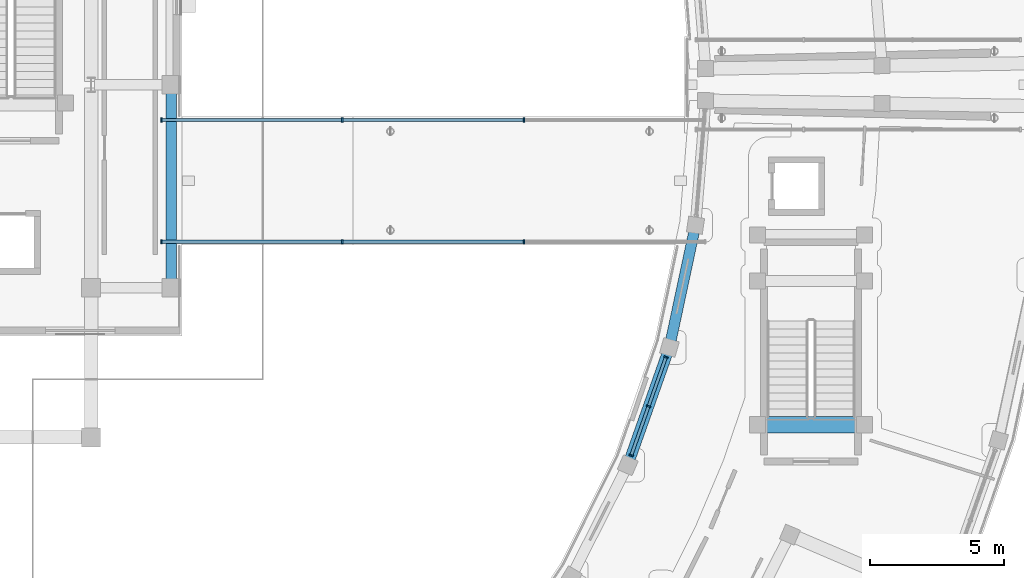
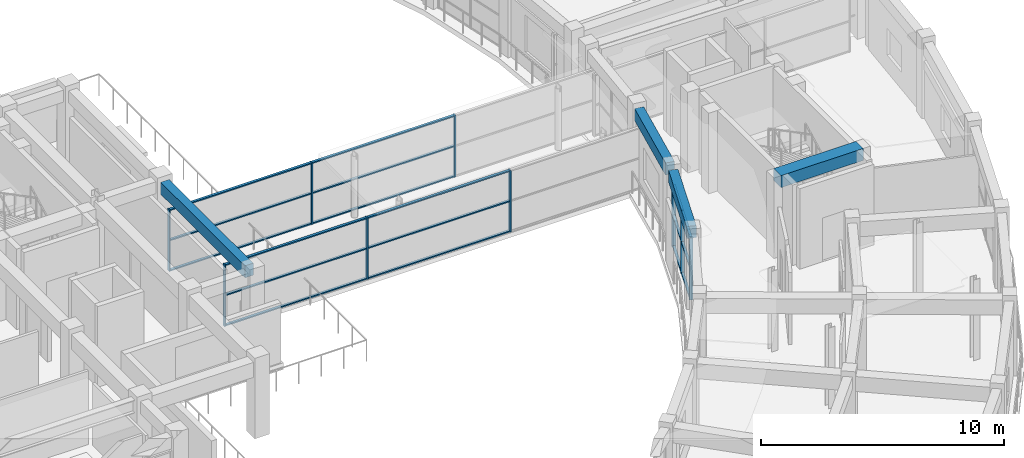
# One storey, part 18 of 53: 27 members, 4 beams, 3 elements without a shape of their own.
"""IFC4 building model written with IfcOpenShell, lengths in metres."""

from ifc_helpers import new_model, si_unit, direction, frame, origin, origin_2d, place, context, subcontext, project, spatial, rectangle, extrude, material, material_profile, profile_set, type_object, element, aggregate, save


model = new_model("IFC4")

# Units and contexts
model_context = context("Model", 3, precision=1e-05, world=origin(), true_north=direction((0.0, 1.0)))
body_context = subcontext(model_context, "Body", "Model", "MODEL_VIEW")
ifc_project = project(units=[si_unit("LENGTHUNIT", "METRE"), si_unit("AREAUNIT", "SQUARE_METRE"), si_unit("VOLUMEUNIT", "CUBIC_METRE"), si_unit("PLANEANGLEUNIT", "RADIAN"), si_unit("MASSUNIT", "GRAM", prefix="KILO")], contexts=[model_context])

# Site, building, storey
site_placement = place(None, origin())
site = spatial("IfcSite", under=ifc_project, at=site_placement, CompositionType="ELEMENT")
building_placement = place(site_placement, origin())
building = spatial("IfcBuilding", under=site, at=building_placement, Name="Saryqyr Civic Hall", CompositionType="ELEMENT")
storey_placement = place(building_placement, frame((0.0, 0.0, 21.300048828125)))
storey = spatial("IfcBuildingStorey", under=building, at=storey_placement, Name="L05", CompositionType="ELEMENT", Elevation=21.300048828125)

# Curtain wall, members
ifc_material_1 = material(Name="Anodised aluminium and triple low-E glass", Category="aluminium")
curtain_wall_type_1 = type_object("IfcCurtainWallType", Name="ENV-CW-STD-21", PredefinedType="NOTDEFINED", material=ifc_material_1)
curtain_wall_1_placement = place(storey_placement, origin())
curtain_wall_1 = element("IfcCurtainWall", 1, at=curtain_wall_1_placement, inside=storey, type_object=curtain_wall_type_1, Name="Curtain wall V5-CWI-L05-07", PredefinedType="NOTDEFINED")
ifc_material_2 = material(Name="Anodised aluminium", Category="aluminium")
ifc_material_profile_1 = material_profile(ifc_material_2, rectangle(XDim=0.06005859375, YDim=0.159912109375, at=origin_2d()), Name="ALU MULLION 60x160")
ifc_profile_set_1 = profile_set([ifc_material_profile_1], Name="Anodised aluminium")
member_type_1 = type_object("IfcMemberType", Name="ENV-CW-MUL-180", PredefinedType="MULLION", material=ifc_profile_set_1)
member_1_placement = place(storey_placement, frame((90.41162109375, 70.1279296875, 0.0), z_axis=(0.0, 0.0, 1.0), x_axis=(0.333171977335, 0.94286607401, 0.0)))
member_1 = element("IfcMember", 2, at=member_1_placement, type_object=member_type_1, Name="CW-21 mullion 1", PredefinedType="MULLION", context=body_context, shape_type="SweptSolid", body=[
    extrude(rectangle(XDim=0.06005859375, YDim=0.159912109375, at=origin_2d()), origin(), (0.0, 0.0, 1.0), 3.155029296875),
])
member_2_placement = place(storey_placement, frame((91.060302734375, 71.963623046875, 0.0), z_axis=(0.0, 0.0, 1.0), x_axis=(0.333171977335, 0.94286607401, 0.0)))
member_2 = element("IfcMember", 3, at=member_2_placement, type_object=member_type_1, Name="CW-21 mullion 2", PredefinedType="MULLION", context=body_context, shape_type="SweptSolid", body=[
    extrude(rectangle(XDim=0.06005859375, YDim=0.159912109375, at=origin_2d()), origin(), (0.0, 0.0, 1.0), 3.155029296875),
])
member_3_placement = place(storey_placement, frame((91.708984375, 73.799560546875, 0.0), z_axis=(0.0, 0.0, 1.0), x_axis=(0.333171977335, 0.94286607401, 0.0)))
member_3 = element("IfcMember", 4, at=member_3_placement, type_object=member_type_1, Name="CW-21 mullion 3", PredefinedType="MULLION", context=body_context, shape_type="SweptSolid", body=[
    extrude(rectangle(XDim=0.06005859375, YDim=0.159912109375, at=origin_2d()), origin(), (0.0, 0.0, 1.0), 3.155029296875),
])

curtain_wall_type_2 = type_object("IfcCurtainWallType", Name="ENV-CW-STD-87", PredefinedType="NOTDEFINED", material=ifc_material_1)
curtain_wall_2_placement = place(storey_placement, origin())
curtain_wall_2 = element("IfcCurtainWall", 5, at=curtain_wall_2_placement, inside=storey, type_object=curtain_wall_type_2, Name="Curtain wall BR-CE-CW1-L05", PredefinedType="NOTDEFINED")
member_4_placement = place(storey_placement, frame((86.39990234375, 78.1201171875, 0.0), z_axis=(0.0, 0.0, 1.0), x_axis=(-1.0, 0.0, 0.0)))
member_4 = element("IfcMember", 6, at=member_4_placement, type_object=member_type_1, Name="CW-87 mullion 2", PredefinedType="MULLION", context=body_context, shape_type="SweptSolid", body=[
    extrude(rectangle(XDim=0.06005859375, YDim=0.159912109375, at=origin_2d()), origin(), (0.0, 0.0, 1.0), 3.099853515625),
])
member_5_placement = place(storey_placement, frame((79.60009765625, 78.1201171875, 0.0), z_axis=(0.0, 0.0, 1.0), x_axis=(-1.0, 0.0, 0.0)))
member_5 = element("IfcMember", 7, at=member_5_placement, type_object=member_type_1, Name="CW-87 mullion 3", PredefinedType="MULLION", context=body_context, shape_type="SweptSolid", body=[
    extrude(rectangle(XDim=0.06005859375, YDim=0.159912109375, at=origin_2d()), origin(), (0.0, 0.0, 1.0), 3.099853515625),
])
member_6_placement = place(storey_placement, frame((72.830078125, 78.1201171875, 0.0), z_axis=(0.0, 0.0, 1.0), x_axis=(-1.0, 0.0, 0.0)))
member_6 = element("IfcMember", 8, at=member_6_placement, type_object=member_type_1, Name="CW-87 mullion 4", PredefinedType="MULLION", context=body_context, shape_type="SweptSolid", body=[
    extrude(rectangle(XDim=0.06005859375, YDim=0.159912109375, at=origin_2d()), origin(), (0.0, 0.0, 1.0), 3.099853515625),
])

curtain_wall_3_placement = place(storey_placement, origin())
curtain_wall_3 = element("IfcCurtainWall", 9, at=curtain_wall_3_placement, inside=storey, type_object=curtain_wall_type_2, Name="Curtain wall BR-CE-CW2-L05", PredefinedType="NOTDEFINED")
member_7_placement = place(storey_placement, frame((72.830078125, 82.679931640625, 0.0), z_axis=(0.0, 0.0, 1.0), x_axis=(1.0, 0.0, 0.0)))
member_7 = element("IfcMember", 10, at=member_7_placement, type_object=member_type_1, Name="CW-87 mullion 1", PredefinedType="MULLION", context=body_context, shape_type="SweptSolid", body=[
    extrude(rectangle(XDim=0.06005859375, YDim=0.159912109375, at=origin_2d()), origin(), (0.0, 0.0, 1.0), 3.099853515625),
])
member_8_placement = place(storey_placement, frame((79.60009765625, 82.679931640625, 0.0), z_axis=(0.0, 0.0, 1.0), x_axis=(1.0, 0.0, 0.0)))
member_8 = element("IfcMember", 11, at=member_8_placement, type_object=member_type_1, Name="CW-87 mullion 2", PredefinedType="MULLION", context=body_context, shape_type="SweptSolid", body=[
    extrude(rectangle(XDim=0.06005859375, YDim=0.159912109375, at=origin_2d()), origin(), (0.0, 0.0, 1.0), 3.099853515625),
])
member_9_placement = place(storey_placement, frame((86.39990234375, 82.679931640625, 0.0), z_axis=(0.0, 0.0, 1.0), x_axis=(1.0, 0.0, 0.0)))
member_9 = element("IfcMember", 12, at=member_9_placement, type_object=member_type_1, Name="CW-87 mullion 3", PredefinedType="MULLION", context=body_context, shape_type="SweptSolid", body=[
    extrude(rectangle(XDim=0.06005859375, YDim=0.159912109375, at=origin_2d()), origin(), (0.0, 0.0, 1.0), 3.099853515625),
])

# Member
ifc_material_profile_2 = material_profile(ifc_material_2, rectangle(XDim=0.1201171875, YDim=0.06005859375, at=origin_2d()), Name="ALU TRANSOM 120x60")
ifc_profile_set_2 = profile_set([ifc_material_profile_2], Name="Anodised aluminium")
member_type_2 = type_object("IfcMemberType", Name="ENV-CW-TRN-150", PredefinedType="USERDEFINED", material=ifc_profile_set_2)
member_10_placement = place(storey_placement, frame((90.421630859375, 70.15625, 0.030029296875), z_axis=(0.333178802066, 0.942863662389, 0.0), x_axis=(-0.942863662389, 0.333178802066, 0.0)))
member_10 = element("IfcMember", 13, at=member_10_placement, type_object=member_type_2, Name="CW-21 transom 1.1", ObjectType="TRANSOM", PredefinedType="USERDEFINED", context=body_context, shape_type="SweptSolid", body=[
    extrude(rectangle(XDim=0.1201171875, YDim=0.06005859375, at=origin_2d()), origin(), (0.0, 0.0, 1.0), 1.886962890625),
])

member_11_placement = place(storey_placement, frame((90.421630859375, 70.15625, 1.577880859375), z_axis=(0.333178802066, 0.942863662389, 0.0), x_axis=(-0.942863662389, 0.333178802066, 0.0)))
member_11 = element("IfcMember", 14, at=member_11_placement, type_object=member_type_2, Name="CW-21 transom 1.2", ObjectType="TRANSOM", PredefinedType="USERDEFINED", context=body_context, shape_type="SweptSolid", body=[
    extrude(rectangle(XDim=0.1201171875, YDim=0.06005859375, at=origin_2d()), origin(), (0.0, 0.0, 1.0), 1.886962890625),
])

member_12_placement = place(storey_placement, frame((90.421630859375, 70.15625, 3.125), z_axis=(0.333178802066, 0.942863662389, 0.0), x_axis=(-0.942863662389, 0.333178802066, 0.0)))
member_12 = element("IfcMember", 15, at=member_12_placement, type_object=member_type_2, Name="CW-21 transom 1.3", ObjectType="TRANSOM", PredefinedType="USERDEFINED", context=body_context, shape_type="SweptSolid", body=[
    extrude(rectangle(XDim=0.1201171875, YDim=0.06005859375, at=origin_2d()), origin(), (0.0, 0.0, 1.0), 1.886962890625),
])

member_13_placement = place(storey_placement, frame((91.0703125, 71.991943359375, 0.030029296875), z_axis=(0.333138159912, 0.942878023082, 0.0), x_axis=(-0.942878023082, 0.333138159912, 0.0)))
member_13 = element("IfcMember", 16, at=member_13_placement, type_object=member_type_2, Name="CW-21 transom 2.1", ObjectType="TRANSOM", PredefinedType="USERDEFINED", context=body_context, shape_type="SweptSolid", body=[
    extrude(rectangle(XDim=0.1201171875, YDim=0.06005859375, at=origin_2d()), origin(), (0.0, 0.0, 1.0), 1.88720703125),
])

member_14_placement = place(storey_placement, frame((91.0703125, 71.991943359375, 1.577880859375), z_axis=(0.333138159912, 0.942878023082, 0.0), x_axis=(-0.942878023082, 0.333138159912, 0.0)))
member_14 = element("IfcMember", 17, at=member_14_placement, type_object=member_type_2, Name="CW-21 transom 2.2", ObjectType="TRANSOM", PredefinedType="USERDEFINED", context=body_context, shape_type="SweptSolid", body=[
    extrude(rectangle(XDim=0.1201171875, YDim=0.06005859375, at=origin_2d()), origin(), (0.0, 0.0, 1.0), 1.88720703125),
])

member_15_placement = place(storey_placement, frame((91.0703125, 71.991943359375, 3.125), z_axis=(0.333138159912, 0.942878023082, 0.0), x_axis=(-0.942878023082, 0.333138159912, 0.0)))
member_15 = element("IfcMember", 18, at=member_15_placement, type_object=member_type_2, Name="CW-21 transom 2.3", ObjectType="TRANSOM", PredefinedType="USERDEFINED", context=body_context, shape_type="SweptSolid", body=[
    extrude(rectangle(XDim=0.1201171875, YDim=0.06005859375, at=origin_2d()), origin(), (0.0, 0.0, 1.0), 1.88720703125),
])

aggregate(curtain_wall_1, [member_1, member_2, member_3, member_10, member_11, member_12, member_13, member_14, member_15])

member_16_placement = place(storey_placement, frame((86.3701171875, 78.1201171875, 0.030029296875), z_axis=(-1.0, 0.0, 0.0), x_axis=(0.0, -1.0, 0.0)))
member_16 = element("IfcMember", 19, at=member_16_placement, type_object=member_type_2, Name="CW-87 transom 2.1", ObjectType="TRANSOM", PredefinedType="USERDEFINED", context=body_context, shape_type="SweptSolid", body=[
    extrude(rectangle(XDim=0.1201171875, YDim=0.06005859375, at=origin_2d()), origin(), (0.0, 0.0, 1.0), 6.740234375),
])

member_17_placement = place(storey_placement, frame((86.3701171875, 78.1201171875, 1.550048828125), z_axis=(-1.0, 0.0, 0.0), x_axis=(0.0, -1.0, 0.0)))
member_17 = element("IfcMember", 20, at=member_17_placement, type_object=member_type_2, Name="CW-87 transom 2.2", ObjectType="TRANSOM", PredefinedType="USERDEFINED", context=body_context, shape_type="SweptSolid", body=[
    extrude(rectangle(XDim=0.1201171875, YDim=0.06005859375, at=origin_2d()), origin(), (0.0, 0.0, 1.0), 6.740234375),
])

member_18_placement = place(storey_placement, frame((86.3701171875, 78.1201171875, 3.070068359375), z_axis=(-1.0, 0.0, 0.0), x_axis=(0.0, -1.0, 0.0)))
member_18 = element("IfcMember", 21, at=member_18_placement, type_object=member_type_2, Name="CW-87 transom 2.3", ObjectType="TRANSOM", PredefinedType="USERDEFINED", context=body_context, shape_type="SweptSolid", body=[
    extrude(rectangle(XDim=0.1201171875, YDim=0.06005859375, at=origin_2d()), origin(), (0.0, 0.0, 1.0), 6.740234375),
])

member_19_placement = place(storey_placement, frame((79.570068359375, 78.1201171875, 0.030029296875), z_axis=(-1.0, 0.0, 0.0), x_axis=(0.0, -1.0, 0.0)))
member_19 = element("IfcMember", 22, at=member_19_placement, type_object=member_type_2, Name="CW-87 transom 3.1", ObjectType="TRANSOM", PredefinedType="USERDEFINED", context=body_context, shape_type="SweptSolid", body=[
    extrude(rectangle(XDim=0.1201171875, YDim=0.06005859375, at=origin_2d()), origin(), (0.0, 0.0, 1.0), 6.7099609375),
])

member_20_placement = place(storey_placement, frame((79.570068359375, 78.1201171875, 1.550048828125), z_axis=(-1.0, 0.0, 0.0), x_axis=(0.0, -1.0, 0.0)))
member_20 = element("IfcMember", 23, at=member_20_placement, type_object=member_type_2, Name="CW-87 transom 3.2", ObjectType="TRANSOM", PredefinedType="USERDEFINED", context=body_context, shape_type="SweptSolid", body=[
    extrude(rectangle(XDim=0.1201171875, YDim=0.06005859375, at=origin_2d()), origin(), (0.0, 0.0, 1.0), 6.7099609375),
])

member_21_placement = place(storey_placement, frame((79.570068359375, 78.1201171875, 3.070068359375), z_axis=(-1.0, 0.0, 0.0), x_axis=(0.0, -1.0, 0.0)))
member_21 = element("IfcMember", 24, at=member_21_placement, type_object=member_type_2, Name="CW-87 transom 3.3", ObjectType="TRANSOM", PredefinedType="USERDEFINED", context=body_context, shape_type="SweptSolid", body=[
    extrude(rectangle(XDim=0.1201171875, YDim=0.06005859375, at=origin_2d()), origin(), (0.0, 0.0, 1.0), 6.7099609375),
])

aggregate(curtain_wall_2, [member_4, member_5, member_6, member_16, member_17, member_18, member_19, member_20, member_21])

member_22_placement = place(storey_placement, frame((72.860107421875, 82.679931640625, 0.030029296875), z_axis=(1.0, 0.0, 0.0), x_axis=(0.0, 1.0, 0.0)))
member_22 = element("IfcMember", 25, at=member_22_placement, type_object=member_type_2, Name="CW-87 transom 1.1", ObjectType="TRANSOM", PredefinedType="USERDEFINED", context=body_context, shape_type="SweptSolid", body=[
    extrude(rectangle(XDim=0.1201171875, YDim=0.06005859375, at=origin_2d()), origin(), (0.0, 0.0, 1.0), 6.7099609375),
])

member_23_placement = place(storey_placement, frame((72.860107421875, 82.679931640625, 1.550048828125), z_axis=(1.0, 0.0, 0.0), x_axis=(0.0, 1.0, 0.0)))
member_23 = element("IfcMember", 26, at=member_23_placement, type_object=member_type_2, Name="CW-87 transom 1.2", ObjectType="TRANSOM", PredefinedType="USERDEFINED", context=body_context, shape_type="SweptSolid", body=[
    extrude(rectangle(XDim=0.1201171875, YDim=0.06005859375, at=origin_2d()), origin(), (0.0, 0.0, 1.0), 6.7099609375),
])

member_24_placement = place(storey_placement, frame((72.860107421875, 82.679931640625, 3.070068359375), z_axis=(1.0, 0.0, 0.0), x_axis=(0.0, 1.0, 0.0)))
member_24 = element("IfcMember", 27, at=member_24_placement, type_object=member_type_2, Name="CW-87 transom 1.3", ObjectType="TRANSOM", PredefinedType="USERDEFINED", context=body_context, shape_type="SweptSolid", body=[
    extrude(rectangle(XDim=0.1201171875, YDim=0.06005859375, at=origin_2d()), origin(), (0.0, 0.0, 1.0), 6.7099609375),
])

member_25_placement = place(storey_placement, frame((79.6298828125, 82.679931640625, 0.030029296875), z_axis=(1.0, 0.0, 0.0), x_axis=(0.0, 1.0, 0.0)))
member_25 = element("IfcMember", 28, at=member_25_placement, type_object=member_type_2, Name="CW-87 transom 2.1", ObjectType="TRANSOM", PredefinedType="USERDEFINED", context=body_context, shape_type="SweptSolid", body=[
    extrude(rectangle(XDim=0.1201171875, YDim=0.06005859375, at=origin_2d()), origin(), (0.0, 0.0, 1.0), 6.740234375),
])

member_26_placement = place(storey_placement, frame((79.6298828125, 82.679931640625, 1.550048828125), z_axis=(1.0, 0.0, 0.0), x_axis=(0.0, 1.0, 0.0)))
member_26 = element("IfcMember", 29, at=member_26_placement, type_object=member_type_2, Name="CW-87 transom 2.2", ObjectType="TRANSOM", PredefinedType="USERDEFINED", context=body_context, shape_type="SweptSolid", body=[
    extrude(rectangle(XDim=0.1201171875, YDim=0.06005859375, at=origin_2d()), origin(), (0.0, 0.0, 1.0), 6.740234375),
])

member_27_placement = place(storey_placement, frame((79.6298828125, 82.679931640625, 3.070068359375), z_axis=(1.0, 0.0, 0.0), x_axis=(0.0, 1.0, 0.0)))
member_27 = element("IfcMember", 30, at=member_27_placement, type_object=member_type_2, Name="CW-87 transom 2.3", ObjectType="TRANSOM", PredefinedType="USERDEFINED", context=body_context, shape_type="SweptSolid", body=[
    extrude(rectangle(XDim=0.1201171875, YDim=0.06005859375, at=origin_2d()), origin(), (0.0, 0.0, 1.0), 6.740234375),
])

aggregate(curtain_wall_3, [member_7, member_8, member_9, member_22, member_23, member_24, member_25, member_26, member_27])

# Beams
ifc_material_3 = material(Name="Concrete C35/45", Category="concrete")
ifc_material_profile_3 = material_profile(ifc_material_3, rectangle(XDim=0.39990234375, YDim=0.60009765625, at=origin_2d()), Name="RC 400x600")
ifc_profile_set_3 = profile_set([ifc_material_profile_3], Name="Concrete C35/45")
beam_type_1 = type_object("IfcBeamType", Name="STR-BM-RC400x600", PredefinedType="BEAM", material=ifc_profile_set_3)
beam_1_placement = place(storey_placement, frame((73.199951171875, 76.72509765625, 3.489990234375), z_axis=(0.0, 1.0, 0.0), x_axis=(-1.0, 0.0, 0.0)))
element("IfcBeam", 31, at=beam_1_placement, inside=storey, type_object=beam_type_1, Name="Beam V1-TBM-13-L05", PredefinedType="BEAM", context=body_context, shape_type="SweptSolid", body=[
    extrude(rectangle(XDim=0.39990234375, YDim=0.60009765625, at=origin_2d()), origin(), (0.0, 0.0, 1.0), 6.949951171875),
])
ifc_material_profile_4 = material_profile(ifc_material_3, rectangle(XDim=0.39990234375, YDim=0.60009765625, at=origin_2d()), Name="RC 400x600")
ifc_profile_set_4 = profile_set([ifc_material_profile_4], Name="Concrete C35/45")
beam_type_2 = type_object("IfcBeamType", Name="STR-BM-RC400x600-EXT", PredefinedType="BEAM", material=ifc_profile_set_4)
beam_2_placement = place(storey_placement, frame((90.373046875, 70.018798828125, 3.47998046875), z_axis=(0.333185372097, 0.942861340718, 0.0), x_axis=(-0.942861340718, 0.333185372097, 0.0)))
element("IfcBeam", 32, at=beam_2_placement, inside=storey, type_object=beam_type_2, Name="Beam V5-CBM-IN07-L05", PredefinedType="BEAM", context=body_context, shape_type="SweptSolid", body=[
    extrude(rectangle(XDim=0.39990234375, YDim=0.60009765625, at=origin_2d()), origin(), (0.0, 0.0, 1.0), 4.12548828125),
])
beam_3_placement = place(storey_placement, frame((91.896484375, 74.436767578125, 3.47998046875), z_axis=(0.208914702751, 0.97793386636, 0.0), x_axis=(-0.97793386636, 0.208914702751, 0.0)))
element("IfcBeam", 33, at=beam_3_placement, inside=storey, type_object=beam_type_2, Name="Beam V5-CBM-IN08-L05", PredefinedType="BEAM", context=body_context, shape_type="SweptSolid", body=[
    extrude(rectangle(XDim=0.39990234375, YDim=0.60009765625, at=origin_2d()), origin(), (0.0, 0.0, 1.0), 4.125244140625),
])
ifc_material_4 = material(Name="Concrete C40/50", Category="concrete")
ifc_material_profile_5 = material_profile(ifc_material_4, rectangle(XDim=0.60009765625, YDim=0.60009765625, at=origin_2d()), Name="RC 600x600")
ifc_profile_set_5 = profile_set([ifc_material_profile_5], Name="Concrete C40/50")
beam_type_3 = type_object("IfcBeamType", Name="STR-BM-RC600x600", PredefinedType="BEAM", material=ifc_profile_set_5)
beam_4_placement = place(storey_placement, frame((99.10009765625, 71.27490234375, 3.75), z_axis=(-1.0, 0.0, 0.0), x_axis=(0.0, -1.0, 0.0)))
element("IfcBeam", 34, at=beam_4_placement, inside=storey, type_object=beam_type_3, Name="Stair well trimmer beam ST-5-L06", PredefinedType="BEAM", context=body_context, shape_type="SweptSolid", body=[
    extrude(rectangle(XDim=0.60009765625, YDim=0.60009765625, at=origin_2d()), origin(), (0.0, 0.0, 1.0), 3.920166015625),
])

save(model, "model.ifc")
